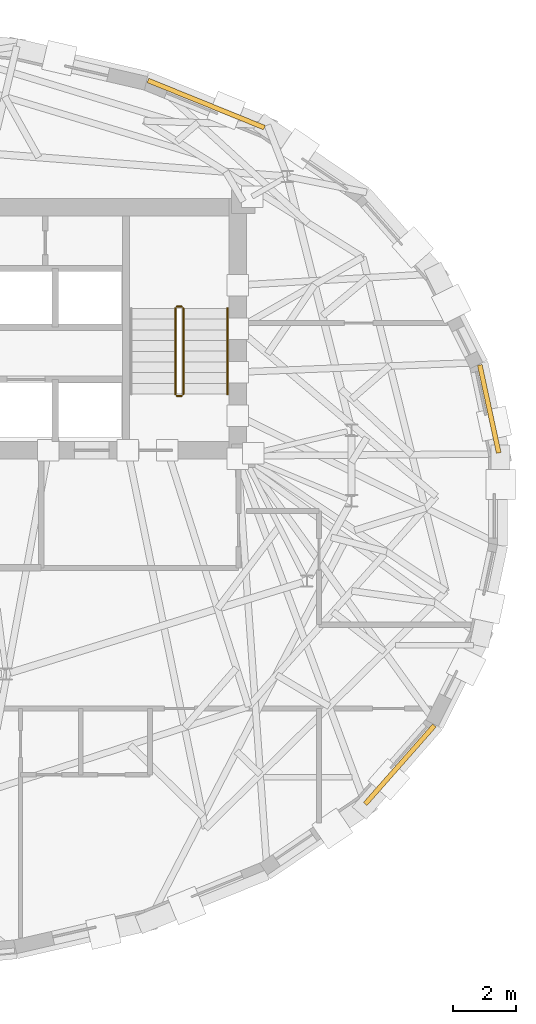
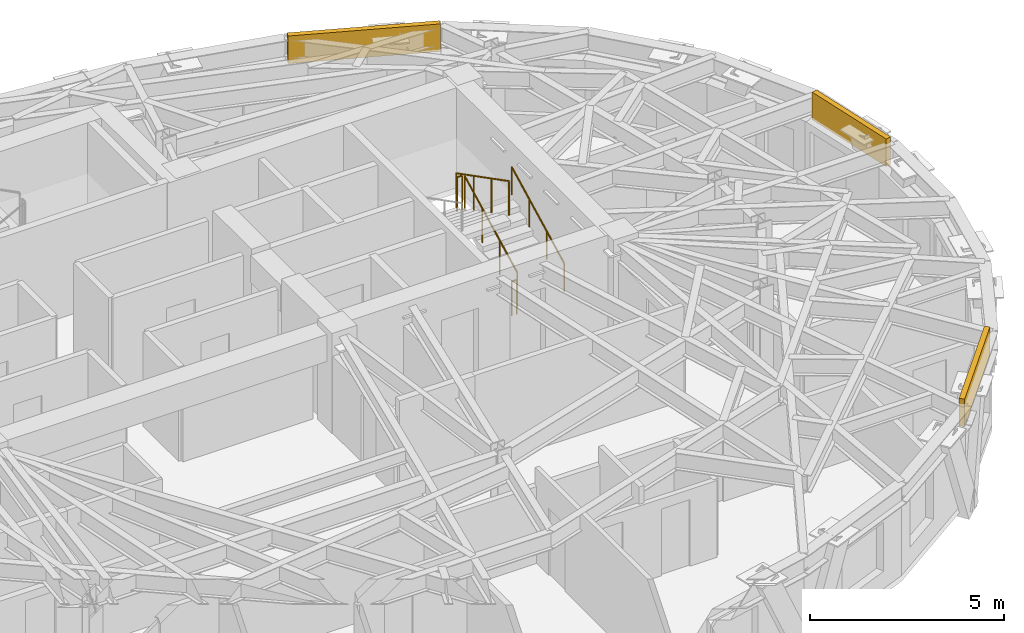
# One storey, part 13 of 13: 5 railings, 3 coverings.
"""IFC4 building model written with IfcOpenShell, lengths in metres."""

from ifc_helpers import new_model, si_unit, direction, frame, origin, origin_2d, place, context, subcontext, project, spatial, rectangle, circle, extrude, material, layer, layer_set, type_object, element, save


model = new_model("IFC4")

# Units and contexts
model_context = context("Model", 3, precision=1e-05, world=origin(), true_north=direction((0.0, 1.0)))
body_context = subcontext(model_context, "Body", "Model", "MODEL_VIEW")
ifc_project = project(units=[si_unit("LENGTHUNIT", "METRE"), si_unit("AREAUNIT", "SQUARE_METRE"), si_unit("VOLUMEUNIT", "CUBIC_METRE"), si_unit("PLANEANGLEUNIT", "RADIAN"), si_unit("MASSUNIT", "GRAM", prefix="KILO")], contexts=[model_context])

# Site, building, storey
site_placement = place(None, origin())
site = spatial("IfcSite", under=ifc_project, at=site_placement, CompositionType="ELEMENT")
building_placement = place(site_placement, origin())
building = spatial("IfcBuilding", under=site, at=building_placement, Name="Keldmark Tower", CompositionType="ELEMENT")
storey_placement = place(building_placement, frame((0.0, 0.0, 235.199951171875)))
storey = spatial("IfcBuildingStorey", under=building, at=storey_placement, Name="L66", CompositionType="ELEMENT", Elevation=235.199951171875)

# Coverings
ifc_material_1 = material(Name="Honed Kasota Buff Dolomitic Limestone", Category="masonry")
ifc_layer = layer(ifc_material_1, 0.074951171875)
ifc_layer_set = layer_set([ifc_layer], Name="Honed Kasota Buff Dolomitic Limestone")
covering_type = type_object("IfcCoveringType", Name="Kasota Buff Limestone Spandrel Cladding Band", PredefinedType="CLADDING", material=ifc_layer_set)
covering_1_placement = place(storey_placement, frame((21.389404296875, 2.884033203125, 2.260009765625), z_axis=(0.0, 0.0, 1.0), x_axis=(-0.210540008659, 0.977585241682, 0.0)))
element("IfcCovering", 1, at=covering_1_placement, inside=storey, type_object=covering_type, Name="L66 Kasota Limestone Spandrel Band 01", PredefinedType="CLADDING", context=body_context, shape_type="SweptSolid", body=[
    extrude(rectangle(XDim=2.847412109375, YDim=0.14990234375, at=origin_2d()), origin(), (0.0, 0.0, 1.0), 0.8701171875),
])
covering_2_placement = place(storey_placement, frame((12.426513671875, 12.53759765625, 2.260009765625), z_axis=(0.0, 0.0, 1.0), x_axis=(-0.92672549442, 0.375739082333, 0.0)))
element("IfcCovering", 2, at=covering_2_placement, inside=storey, type_object=covering_type, Name="L66 Kasota Limestone Spandrel Band 05", PredefinedType="CLADDING", context=body_context, shape_type="SweptSolid", body=[
    extrude(rectangle(XDim=3.976318359375, YDim=0.14990234375, at=origin_2d()), origin(), (0.0, 0.0, 1.0), 0.8701171875),
])
covering_3_placement = place(storey_placement, frame((18.557373046875, -8.381591796875, 2.260009765625), z_axis=(0.0, 0.0, 1.0), x_axis=(0.661364231344, 0.750064899525, 0.0)))
element("IfcCovering", 3, at=covering_3_placement, inside=storey, type_object=covering_type, Name="L66 Kasota Limestone Spandrel Band 29", PredefinedType="CLADDING", context=body_context, shape_type="SweptSolid", body=[
    extrude(rectangle(XDim=3.31201171875, YDim=0.14990234375, at=origin_2d()), origin(), (0.0, 0.0, 1.0), 0.8701171875),
])

# Railings
ifc_material_2 = material(Name="Painted Steel ASTM A500 Grade B", Category="steel")
railing_type_1 = type_object("IfcRailingType", Name="Painted Steel Stair Well Guard 1100 mm", PredefinedType="GUARDRAIL", material=ifc_material_2)
railing_1_placement = place(storey_placement, frame((11.699951171875, 3.35009765625, 0.175048828125)))
element("IfcRailing", 4, at=railing_1_placement, inside=storey, type_object=railing_type_1, Name="L66 ST2 stair guard 1", PredefinedType="GUARDRAIL", context=body_context, shape_type="SweptSolid", body=[
    extrude(circle(Radius=0.02392578125, at=origin_2d()), frame((0.0, 0.0, 1.076171875), z_axis=(0.0, 0.889146794209, 0.457622091194), x_axis=(-1.0, 0.0, 0.0)), (0.0, 0.0, 1.0), 3.05908203125),
    extrude(circle(Radius=0.02099609375, at=origin_2d()), origin(), (0.0, 0.0, 1.0), 1.052001953125),
    extrude(circle(Radius=0.02099609375, at=origin_2d()), frame((0.0, 0.90673828125, 0.466552734375)), (0.0, 0.0, 1.0), 1.052001953125),
    extrude(circle(Radius=0.02099609375, at=origin_2d()), frame((0.0, 1.813232421875, 0.933349609375)), (0.0, 0.0, 1.0), 1.052001953125),
    extrude(circle(Radius=0.02099609375, at=origin_2d()), frame((0.0, 2.719970703125, 1.39990234375)), (0.0, 0.0, 1.0), 1.052001953125),
])
railing_2_placement = place(storey_placement, frame((11.64990234375, 6.1201171875, 1.574951171875)))
element("IfcRailing", 5, at=railing_2_placement, inside=storey, type_object=railing_type_1, Name="L66 ST2 stair guard 2", PredefinedType="GUARDRAIL", context=body_context, shape_type="SweptSolid", body=[
    extrude(circle(Radius=0.02392578125, at=origin_2d()), frame((0.0, 0.0, 1.076171875), z_axis=(-1.0, 0.0, 0.0), x_axis=(0.0, -1.0, 0.0)), (0.0, 0.0, 1.0), 0.14990234375),
    extrude(circle(Radius=0.02099609375, at=origin_2d()), origin(), (0.0, 0.0, 1.0), 1.052001953125),
    extrude(circle(Radius=0.02099609375, at=origin_2d()), frame((-0.14990234375, 0.0, 0.0)), (0.0, 0.0, 1.0), 1.052001953125),
])
railing_3_placement = place(storey_placement, frame((11.449951171875, 6.070068359375, 1.75)))
element("IfcRailing", 6, at=railing_3_placement, inside=storey, type_object=railing_type_1, Name="L66 ST2 stair guard 3", PredefinedType="GUARDRAIL", context=body_context, shape_type="SweptSolid", body=[
    extrude(circle(Radius=0.02392578125, at=origin_2d()), frame((0.0, 0.0, 1.076171875), z_axis=(0.0, -0.889114319608, 0.457685182924), x_axis=(1.0, 0.0, 0.0)), (0.0, 0.0, 1.0), 3.05908203125),
    extrude(circle(Radius=0.02099609375, at=origin_2d()), origin(), (0.0, 0.0, 1.0), 1.052001953125),
    extrude(circle(Radius=0.02099609375, at=origin_2d()), frame((0.0, -0.90673828125, 0.466796875)), (0.0, 0.0, 1.0), 1.052001953125),
    extrude(circle(Radius=0.02099609375, at=origin_2d()), frame((0.0, -1.813232421875, 0.933349609375)), (0.0, 0.0, 1.0), 1.052001953125),
    extrude(circle(Radius=0.02099609375, at=origin_2d()), frame((0.0, -2.719970703125, 1.400146484375)), (0.0, 0.0, 1.0), 1.052001953125),
])
railing_4_placement = place(storey_placement, frame((11.64990234375, 3.300048828125, 0.0)))
element("IfcRailing", 7, at=railing_4_placement, inside=storey, type_object=railing_type_1, Name="L66 ST2 stair guard 4", PredefinedType="GUARDRAIL", context=body_context, shape_type="SweptSolid", body=[
    extrude(circle(Radius=0.02392578125, at=origin_2d()), frame((0.0, 0.0, 1.076171875), z_axis=(-1.0, 0.0, 0.0), x_axis=(0.0, -1.0, 0.0)), (0.0, 0.0, 1.0), 0.14990234375),
    extrude(circle(Radius=0.02099609375, at=origin_2d()), origin(), (0.0, 0.0, 1.0), 1.052001953125),
    extrude(circle(Radius=0.02099609375, at=origin_2d()), frame((-0.14990234375, 0.0, 0.0)), (0.0, 0.0, 1.0), 1.052001953125),
])
ifc_material_3 = material(Name="Stainless Steel AISI 316L", Category="steel")
railing_type_2 = type_object("IfcRailingType", Name="Stainless Steel Stair Handrail 900 mm", PredefinedType="HANDRAIL", material=ifc_material_3)
railing_5_placement = place(storey_placement, frame((13.10009765625, 3.35009765625, 0.175048828125)))
element("IfcRailing", 8, at=railing_5_placement, inside=storey, type_object=railing_type_2, Name="L66 ST2 stair handrail 1", PredefinedType="HANDRAIL", context=body_context, shape_type="SweptSolid", body=[
    extrude(circle(Radius=0.02392578125, at=origin_2d()), frame((0.0, 0.0, 0.8759765625), z_axis=(0.0, 0.889146794209, 0.457622091194), x_axis=(-1.0, 0.0, 0.0)), (0.0, 0.0, 1.0), 3.05908203125),
    extrude(circle(Radius=0.02099609375, at=origin_2d()), origin(), (0.0, 0.0, 1.0), 0.851806640625),
    extrude(circle(Radius=0.02099609375, at=origin_2d()), frame((0.0, 0.90673828125, 0.466552734375)), (0.0, 0.0, 1.0), 0.851806640625),
    extrude(circle(Radius=0.02099609375, at=origin_2d()), frame((0.0, 1.813232421875, 0.933349609375)), (0.0, 0.0, 1.0), 0.851806640625),
    extrude(circle(Radius=0.02099609375, at=origin_2d()), frame((0.0, 2.719970703125, 1.39990234375)), (0.0, 0.0, 1.0), 0.851806640625),
])

save(model, "model.ifc")
